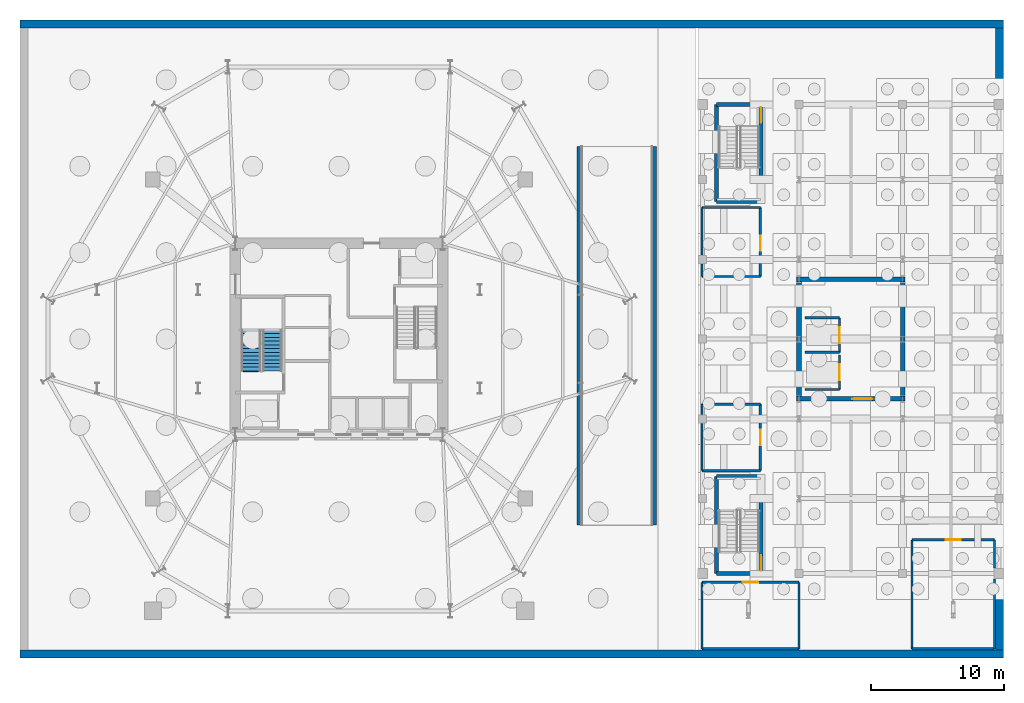
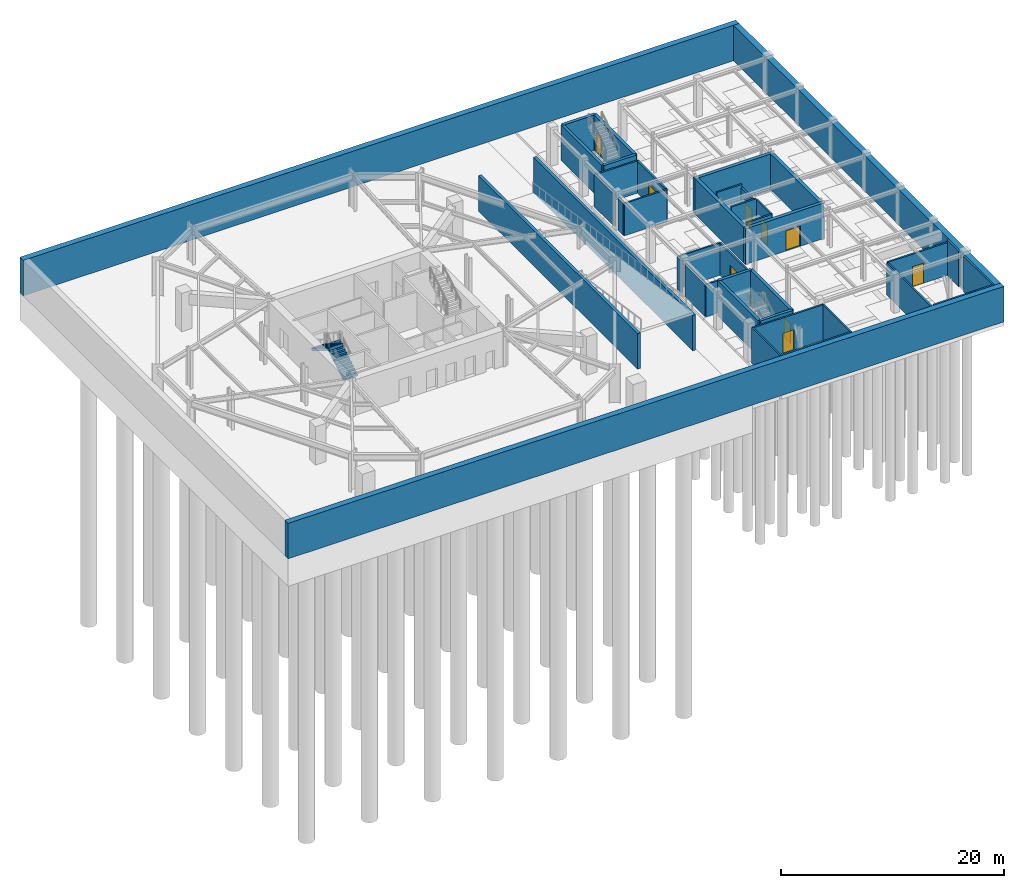
# One storey, part 14 of 18: 41 walls, 9 doors, 2 stair flights, 9 openings, 1 element without a shape of its own.
"""IFC4 building model written with IfcOpenShell, lengths in metres."""

from ifc_helpers import new_model, si_unit, direction, frame, frame_2d, origin, place, context, subcontext, project, spatial, polyline, rectangle, outline, extrude, material, layer, layer_set, type_object, element, fill, aggregate, save


model = new_model("IFC4")

# Units and contexts
model_context = context("Model", 3, precision=1e-05, world=origin(), true_north=direction((0.0, 1.0)))
body_context = subcontext(model_context, "Body", "Model", "MODEL_VIEW")
ifc_project = project(units=[si_unit("LENGTHUNIT", "METRE"), si_unit("AREAUNIT", "SQUARE_METRE"), si_unit("VOLUMEUNIT", "CUBIC_METRE"), si_unit("PLANEANGLEUNIT", "RADIAN"), si_unit("MASSUNIT", "GRAM", prefix="KILO")], contexts=[model_context])

# Site, building, storey
site_placement = place(None, origin())
site = spatial("IfcSite", under=ifc_project, at=site_placement, CompositionType="ELEMENT")
building_placement = place(site_placement, origin())
building = spatial("IfcBuilding", under=site, at=building_placement, Name="Kranzbogen Civic Tower", CompositionType="ELEMENT")
storey_placement = place(building_placement, frame((0.0, 0.0, -8.39990234375)))
storey = spatial("IfcBuildingStorey", under=building, at=storey_placement, Name="B02", CompositionType="ELEMENT", Elevation=-8.39990234375)

# Walls
ifc_material_1 = material(Name="Concrete C45/55", Category="concrete")
ifc_layer_1 = layer(ifc_material_1, 0.60009765625, Name="Concrete C45/55")
ifc_layer_set_1 = layer_set([ifc_layer_1], Name="Concrete C45/55")
wall_type_1 = type_object("IfcWallType", Name="Basement Retaining Wall 600 mm", PredefinedType="USERDEFINED", material=ifc_layer_set_1)
for number, where, z_axis, x_axis, name in (
    (1, (1.0, 1.300048828125, 0.0), (0.0, 0.0, 1.0), (1.0, 0.0, 0.0), "B02 South basement retaining wall"),
    (2, (75.0, 48.699951171875, 0.0), (0.0, 0.0, 1.0), (-1.0, 0.0, 0.0), "B02 North basement retaining wall"),
):
    element("IfcWall", number, at=place(storey_placement, frame(where, z_axis=z_axis, x_axis=x_axis)), inside=storey, type_object=wall_type_1, Name=name, ObjectType="RETAINING_WALL", PredefinedType="USERDEFINED", context=body_context, shape_type="SweptSolid", body=[
        extrude(rectangle(XDim=74.0, YDim=0.60009765625, at=frame_2d((37.0, 0.0))), origin(), (0.0, 0.0, 1.0), 3.8798828125),
    ])
wall_1_placement = place(storey_placement, frame((74.699951171875, 1.60009765625, 0.0), z_axis=(0.0, 0.0, 1.0), x_axis=(0.0, 1.0, 0.0)))
element("IfcWall", 3, at=wall_1_placement, inside=storey, type_object=wall_type_1, Name="B02 East basement retaining wall", ObjectType="RETAINING_WALL", PredefinedType="USERDEFINED", context=body_context, shape_type="SweptSolid", body=[
    extrude(rectangle(XDim=46.7998046875, YDim=0.60009765625, at=frame_2d((23.39990234375, 0.0))), origin(), (0.0, 0.0, 1.0), 3.8798828125),
])

# Wall, opening, door
ifc_material_2 = material(Name="Gypsum Fireboard Shaftliner")
ifc_layer_2 = layer(ifc_material_2, 0.175048828125, Name="Gypsum Fireboard Shaftliner")
ifc_layer_set_2 = layer_set([ifc_layer_2], Name="Gypsum Fireboard Shaftliner")
wall_type_2 = type_object("IfcWallType", Name="Fire-Rated Lift and Service Shaft Wall 175 mm", PredefinedType="PARTITIONING", material=ifc_layer_set_2)
wall_2_placement = place(storey_placement, frame((62.64990234375, 21.199951171875, 0.0), z_axis=(0.0, 0.0, 1.0), x_axis=(0.0, 1.0, 0.0)))
wall_2 = element("IfcWall", 4, at=wall_2_placement, inside=storey, type_object=wall_type_2, Name="B02 lift HC-L1 landing wall", PredefinedType="PARTITIONING", context=body_context, shape_type="SweptSolid", body=[
    extrude(rectangle(XDim=2.60009765625, YDim=0.175048828125, at=frame_2d((1.300048828125, 0.0))), origin(), (0.0, 0.0, 1.0), 3.8798828125),
])
opening_1_placement = place(wall_2_placement, frame((0.699951171875, 0.0, 0.0)))
opening_1 = element("IfcOpeningElement", 5, at=opening_1_placement, cuts=wall_2, Name="Opening LD-HC-L1", PredefinedType="OPENING", context=body_context, shape_type="SweptSolid", body=[
    extrude(rectangle(XDim=1.199951171875, YDim=2.199951171875, at=frame_2d((0.60009765625, 1.10009765625))), frame((0.0, 0.09765625, 0.0), z_axis=(0.0, -1.0, 0.0), x_axis=(1.0, 0.0, 0.0)), (0.0, 0.0, 1.0), 0.195068359375),
])
ifc_material_3 = material(Name="Pale Anodised Aluminium", Category="aluminium")
door_type_1 = type_object("IfcDoorType", Name="Firefighting and Stretcher Lift Sliding Landing Door 1200x2200", OperationType="DOUBLE_DOOR_SLIDING", PredefinedType="DOOR", material=ifc_material_3)
door_1_placement = place(opening_1_placement, origin())
door_1 = element("IfcDoor", 6, at=door_1_placement, inside=storey, type_object=door_type_1, Name="B02 lift HC-L1 sliding landing door", OperationType="DOUBLE_DOOR_SLIDING", OverallHeight=2.199951171875, OverallWidth=1.199951171875, PredefinedType="DOOR", context=body_context, shape_type="SweptSolid", body=[
    extrude(rectangle(XDim=1.199951171875, YDim=2.199951171875, at=frame_2d((0.60009765625, 1.10009765625))), frame((0.0, 0.02490234375, 0.0), z_axis=(0.0, -1.0, 0.0), x_axis=(1.0, 0.0, 0.0)), (0.0, 0.0, 1.0), 0.050048828125),
])
fill(opening_1, door_1)

# Wall
wall_3_placement = place(storey_placement, frame((60.050048828125, 21.199951171875, 0.0), z_axis=(0.0, 0.0, 1.0), x_axis=(1.0, 0.0, 0.0)))
element("IfcWall", 7, at=wall_3_placement, inside=storey, type_object=wall_type_2, Name="B02 lift HC-L1 side wall", PredefinedType="PARTITIONING", context=body_context, shape_type="SweptSolid", body=[
    extrude(rectangle(XDim=2.599853515625, YDim=0.175048828125, at=frame_2d((1.2998046875, 0.0))), origin(), (0.0, 0.0, 1.0), 3.8798828125),
])

# Wall, opening, door
wall_4_placement = place(storey_placement, frame((62.64990234375, 24.0, 0.0), z_axis=(0.0, 0.0, 1.0), x_axis=(0.0, 1.0, 0.0)))
wall_4 = element("IfcWall", 8, at=wall_4_placement, inside=storey, type_object=wall_type_2, Name="B02 lift HC-L2 landing wall", PredefinedType="PARTITIONING", context=body_context, shape_type="SweptSolid", body=[
    extrude(rectangle(XDim=2.60009765625, YDim=0.175048828125, at=frame_2d((1.300048828125, 0.0))), origin(), (0.0, 0.0, 1.0), 3.52001953125),
])
opening_2_placement = place(wall_4_placement, frame((0.699951171875, 0.0, 0.0)))
opening_2 = element("IfcOpeningElement", 9, at=opening_2_placement, cuts=wall_4, Name="Opening LD-HC-L2", PredefinedType="OPENING", context=body_context, shape_type="SweptSolid", body=[
    extrude(rectangle(XDim=1.199951171875, YDim=2.199951171875, at=frame_2d((0.60009765625, 1.10009765625))), frame((0.0, 0.09765625, 0.0), z_axis=(0.0, -1.0, 0.0), x_axis=(1.0, 0.0, 0.0)), (0.0, 0.0, 1.0), 0.195068359375),
])
door_2_placement = place(opening_2_placement, origin())
door_2 = element("IfcDoor", 10, at=door_2_placement, inside=storey, type_object=door_type_1, Name="B02 lift HC-L2 sliding landing door", OperationType="DOUBLE_DOOR_SLIDING", OverallHeight=2.199951171875, OverallWidth=1.199951171875, PredefinedType="DOOR", context=body_context, shape_type="SweptSolid", body=[
    extrude(rectangle(XDim=1.199951171875, YDim=2.199951171875, at=frame_2d((0.60009765625, 1.10009765625))), frame((0.0, 0.02490234375, 0.0), z_axis=(0.0, -1.0, 0.0), x_axis=(1.0, 0.0, 0.0)), (0.0, 0.0, 1.0), 0.050048828125),
])
fill(opening_2, door_2)

# Walls
for number, where, z_axis, x_axis, name in (
    (11, (60.050048828125, 24.0, 0.0), (0.0, 0.0, 1.0), (1.0, 0.0, 0.0), "B02 lift HC-L2 side wall"),
    (12, (60.050048828125, 26.60009765625, 0.0), (0.0, 0.0, 1.0), (1.0, 0.0, 0.0), "B02 lift HC-L2 North shaft wall"),
):
    element("IfcWall", number, at=place(storey_placement, frame(where, z_axis=z_axis, x_axis=x_axis)), inside=storey, type_object=wall_type_2, Name=name, PredefinedType="PARTITIONING", context=body_context, shape_type="SweptSolid", body=[
        extrude(rectangle(XDim=2.599853515625, YDim=0.175048828125, at=frame_2d((1.2998046875, 0.0))), origin(), (0.0, 0.0, 1.0), 3.8798828125),
    ])

# Wall, opening, door
wall_5_placement = place(storey_placement, frame((68.10009765625, 9.89990234375, 0.0), z_axis=(0.0, 0.0, 1.0), x_axis=(1.0, 0.0, 0.0)))
wall_5 = element("IfcWall", 13, at=wall_5_placement, inside=storey, type_object=wall_type_2, Name="B02 PWR North wall", PredefinedType="PARTITIONING", context=body_context, shape_type="SweptSolid", body=[
    extrude(rectangle(XDim=6.2099609375, YDim=0.175048828125, at=frame_2d((3.10498046875, 0.0))), origin(), (0.0, 0.0, 1.0), 3.579833984375),
])
opening_3_placement = place(wall_5_placement, frame((2.530029296875, 0.0, 0.0)))
opening_3 = element("IfcOpeningElement", 14, at=opening_3_placement, cuts=wall_5, Name="Opening D-ST90", PredefinedType="OPENING", context=body_context, shape_type="SweptSolid", body=[
    extrude(rectangle(XDim=1.14990234375, YDim=2.199951171875, at=frame_2d((0.574951171875, 1.10009765625))), frame((0.0, 0.09765625, 0.0), z_axis=(0.0, -1.0, 0.0), x_axis=(1.0, 0.0, 0.0)), (0.0, 0.0, 1.0), 0.195068359375),
])
ifc_material_4 = material(Name="Steel S355", Category="steel")
door_type_2 = type_object("IfcDoorType", Name="Pressurized Stair and Lobby Fire Door 1150x2200", OperationType="NOTDEFINED", PredefinedType="DOOR", material=ifc_material_4)
door_3_placement = place(opening_3_placement, origin())
door_3 = element("IfcDoor", 15, at=door_3_placement, inside=storey, type_object=door_type_2, Name="B02 PWR plant access door", OperationType="SINGLE_SWING_RIGHT", OverallHeight=2.199951171875, OverallWidth=1.14990234375, PredefinedType="DOOR", context=body_context, shape_type="SweptSolid", body=[
    extrude(rectangle(XDim=1.14990234375, YDim=2.199951171875, at=frame_2d((0.574951171875, 1.10009765625))), frame((0.0, 0.02490234375, 0.0), z_axis=(0.0, -1.0, 0.0), x_axis=(1.0, 0.0, 0.0)), (0.0, 0.0, 1.0), 0.050048828125),
])
fill(opening_3, door_3)

# Walls
wall_6_placement = place(storey_placement, frame((68.10009765625, 1.68994140625, 0.0), z_axis=(0.0, 0.0, 1.0), x_axis=(1.0, 0.0, 0.0)))
element("IfcWall", 16, at=wall_6_placement, inside=storey, type_object=wall_type_2, Name="B02 PWR South wall", PredefinedType="PARTITIONING", context=body_context, shape_type="SweptSolid", body=[
    extrude(rectangle(XDim=6.2099609375, YDim=0.175048828125, at=frame_2d((3.10498046875, 0.0))), origin(), (0.0, 0.0, 1.0), 3.8798828125),
])
wall_7_placement = place(storey_placement, frame((68.10009765625, 1.68994140625, 0.0), z_axis=(0.0, 0.0, 1.0), x_axis=(0.0, 1.0, 0.0)))
element("IfcWall", 17, at=wall_7_placement, inside=storey, type_object=wall_type_2, Name="B02 PWR West wall", PredefinedType="PARTITIONING", context=body_context, shape_type="SweptSolid", body=[
    extrude(rectangle(XDim=8.2099609375, YDim=0.175048828125, at=frame_2d((4.10498046875, 0.0))), origin(), (0.0, 0.0, 1.0), 3.52001953125),
])
wall_8_placement = place(storey_placement, frame((74.31005859375, 1.68994140625, 0.0), z_axis=(0.0, 0.0, 1.0), x_axis=(0.0, 1.0, 0.0)))
element("IfcWall", 18, at=wall_8_placement, inside=storey, type_object=wall_type_2, Name="B02 PWR East wall part 1", PredefinedType="PARTITIONING", context=body_context, shape_type="SweptSolid", body=[
    extrude(rectangle(XDim=5.2451171875, YDim=0.175048828125, at=frame_2d((2.62255859375, 0.0))), origin(), (0.0, 0.0, 1.0), 3.8798828125),
])
wall_9_placement = place(storey_placement, frame((74.31005859375, 7.764892578125, 0.0), z_axis=(0.0, 0.0, 1.0), x_axis=(0.0, 1.0, 0.0)))
element("IfcWall", 19, at=wall_9_placement, inside=storey, type_object=wall_type_2, Name="B02 PWR East wall part 2", PredefinedType="PARTITIONING", context=body_context, shape_type="SweptSolid", body=[
    extrude(rectangle(XDim=2.135009765625, YDim=0.175048828125, at=frame_2d((1.0673828125, 0.0))), origin(), (0.0, 0.0, 1.0), 3.8798828125),
])

# Wall, opening, door
wall_10_placement = place(storey_placement, frame((52.300048828125, 6.699951171875, 0.0), z_axis=(0.0, 0.0, 1.0), x_axis=(1.0, 0.0, 0.0)))
wall_10 = element("IfcWall", 20, at=wall_10_placement, inside=storey, type_object=wall_type_2, Name="B02 SPR North wall", PredefinedType="PARTITIONING", context=body_context, shape_type="SweptSolid", body=[
    extrude(rectangle(XDim=7.300048828125, YDim=0.175048828125, at=frame_2d((3.64990234375, 0.0))), origin(), (0.0, 0.0, 1.0), 3.8798828125),
])
opening_4_placement = place(wall_10_placement, frame((3.074951171875, 0.0, 0.0)))
opening_4 = element("IfcOpeningElement", 21, at=opening_4_placement, cuts=wall_10, Name="Opening D-ST90", PredefinedType="OPENING", context=body_context, shape_type="SweptSolid", body=[
    extrude(rectangle(XDim=1.14990234375, YDim=2.199951171875, at=frame_2d((0.574951171875, 1.10009765625))), frame((0.0, 0.09765625, 0.0), z_axis=(0.0, -1.0, 0.0), x_axis=(1.0, 0.0, 0.0)), (0.0, 0.0, 1.0), 0.195068359375),
])
door_4_placement = place(opening_4_placement, origin())
door_4 = element("IfcDoor", 22, at=door_4_placement, inside=storey, type_object=door_type_2, Name="B02 SPR plant access door", OperationType="SINGLE_SWING_LEFT", OverallHeight=2.199951171875, OverallWidth=1.14990234375, PredefinedType="DOOR", context=body_context, shape_type="SweptSolid", body=[
    extrude(rectangle(XDim=1.14990234375, YDim=2.199951171875, at=frame_2d((0.574951171875, 1.10009765625))), frame((0.0, 0.02490234375, 0.0), z_axis=(0.0, -1.0, 0.0), x_axis=(1.0, 0.0, 0.0)), (0.0, 0.0, 1.0), 0.050048828125),
])
fill(opening_4, door_4)

# Walls
wall_11_placement = place(storey_placement, frame((52.300048828125, 1.68994140625, 0.0), z_axis=(0.0, 0.0, 1.0), x_axis=(1.0, 0.0, 0.0)))
element("IfcWall", 23, at=wall_11_placement, inside=storey, type_object=wall_type_2, Name="B02 SPR South wall", PredefinedType="PARTITIONING", context=body_context, shape_type="SweptSolid", body=[
    extrude(rectangle(XDim=7.300048828125, YDim=0.175048828125, at=frame_2d((3.64990234375, 0.0))), origin(), (0.0, 0.0, 1.0), 3.8798828125),
])
for number, where, z_axis, x_axis, name in (
    (24, (52.300048828125, 1.68994140625, 0.0), (0.0, 0.0, 1.0), (0.0, 1.0, 0.0), "B02 SPR West wall"),
    (25, (59.60009765625, 1.68994140625, 0.0), (0.0, 0.0, 1.0), (0.0, 1.0, 0.0), "B02 SPR East wall"),
):
    element("IfcWall", number, at=place(storey_placement, frame(where, z_axis=z_axis, x_axis=x_axis)), inside=storey, type_object=wall_type_2, Name=name, PredefinedType="PARTITIONING", context=body_context, shape_type="SweptSolid", body=[
        extrude(rectangle(XDim=5.010009765625, YDim=0.175048828125, at=frame_2d((2.5048828125, 0.0))), origin(), (0.0, 0.0, 1.0), 3.8798828125),
    ])
for number, where, z_axis, x_axis, name in (
    (26, (52.300048828125, 20.10009765625, 0.0), (0.0, 0.0, 1.0), (1.0, 0.0, 0.0), "B02 DHS North wall"),
    (27, (52.300048828125, 15.10009765625, 0.0), (0.0, 0.0, 1.0), (1.0, 0.0, 0.0), "B02 DHS South wall"),
):
    element("IfcWall", number, at=place(storey_placement, frame(where, z_axis=z_axis, x_axis=x_axis)), inside=storey, type_object=wall_type_2, Name=name, PredefinedType="PARTITIONING", context=body_context, shape_type="SweptSolid", body=[
        extrude(rectangle(XDim=4.39990234375, YDim=0.175048828125, at=frame_2d((2.199951171875, 0.0))), origin(), (0.0, 0.0, 1.0), 3.52001953125),
    ])
wall_12_placement = place(storey_placement, frame((52.300048828125, 15.10009765625, 0.0), z_axis=(0.0, 0.0, 1.0), x_axis=(0.0, 1.0, 0.0)))
element("IfcWall", 28, at=wall_12_placement, inside=storey, type_object=wall_type_2, Name="B02 DHS West wall part 1", PredefinedType="PARTITIONING", context=body_context, shape_type="SweptSolid", body=[
    extrude(rectangle(XDim=3.559814453125, YDim=0.175048828125, at=frame_2d((1.77978515625, 0.0))), origin(), (0.0, 0.0, 1.0), 3.52001953125),
])
wall_13_placement = place(storey_placement, frame((52.300048828125, 19.340087890625, 0.0), z_axis=(0.0, 0.0, 1.0), x_axis=(0.0, 1.0, 0.0)))
element("IfcWall", 29, at=wall_13_placement, inside=storey, type_object=wall_type_2, Name="B02 DHS West wall part 2", PredefinedType="PARTITIONING", context=body_context, shape_type="SweptSolid", body=[
    extrude(rectangle(XDim=0.760009765625, YDim=0.175048828125, at=frame_2d((0.3798828125, 0.0))), origin(), (0.0, 0.0, 1.0), 3.52001953125),
])

# Wall, opening, door
wall_14_placement = place(storey_placement, frame((56.699951171875, 15.10009765625, 0.0), z_axis=(0.0, 0.0, 1.0), x_axis=(0.0, 1.0, 0.0)))
wall_14 = element("IfcWall", 30, at=wall_14_placement, inside=storey, type_object=wall_type_2, Name="B02 DHS East wall", PredefinedType="PARTITIONING", context=body_context, shape_type="SweptSolid", body=[
    extrude(rectangle(XDim=5.0, YDim=0.175048828125, at=frame_2d((2.5, 0.0))), origin(), (0.0, 0.0, 1.0), 3.52001953125),
])
opening_5_placement = place(wall_14_placement, frame((1.925048828125, 0.0, 0.0)))
opening_5 = element("IfcOpeningElement", 31, at=opening_5_placement, cuts=wall_14, Name="Opening D-ST90", PredefinedType="OPENING", context=body_context, shape_type="SweptSolid", body=[
    extrude(rectangle(XDim=1.14990234375, YDim=2.199951171875, at=frame_2d((0.574951171875, 1.10009765625))), frame((0.0, 0.09765625, 0.0), z_axis=(0.0, -1.0, 0.0), x_axis=(1.0, 0.0, 0.0)), (0.0, 0.0, 1.0), 0.195068359375),
])
door_5_placement = place(opening_5_placement, origin())
door_5 = element("IfcDoor", 32, at=door_5_placement, inside=storey, type_object=door_type_2, Name="B02 DHS plant access door", OperationType="SINGLE_SWING_RIGHT", OverallHeight=2.199951171875, OverallWidth=1.14990234375, PredefinedType="DOOR", context=body_context, shape_type="SweptSolid", body=[
    extrude(rectangle(XDim=1.14990234375, YDim=2.199951171875, at=frame_2d((0.574951171875, 1.10009765625))), frame((0.0, 0.02490234375, 0.0), z_axis=(0.0, -1.0, 0.0), x_axis=(1.0, 0.0, 0.0)), (0.0, 0.0, 1.0), 0.050048828125),
])
fill(opening_5, door_5)

# Walls
for number, where, z_axis, x_axis, name in (
    (33, (52.300048828125, 34.89990234375, 0.0), (0.0, 0.0, 1.0), (1.0, 0.0, 0.0), "B02 WTR North wall"),
    (34, (52.300048828125, 29.699951171875, 0.0), (0.0, 0.0, 1.0), (1.0, 0.0, 0.0), "B02 WTR South wall"),
):
    element("IfcWall", number, at=place(storey_placement, frame(where, z_axis=z_axis, x_axis=x_axis)), inside=storey, type_object=wall_type_2, Name=name, PredefinedType="PARTITIONING", context=body_context, shape_type="SweptSolid", body=[
        extrude(rectangle(XDim=4.39990234375, YDim=0.175048828125, at=frame_2d((2.199951171875, 0.0))), origin(), (0.0, 0.0, 1.0), 3.52001953125),
    ])
wall_15_placement = place(storey_placement, frame((52.300048828125, 29.699951171875, 0.0), z_axis=(0.0, 0.0, 1.0), x_axis=(0.0, 1.0, 0.0)))
element("IfcWall", 35, at=wall_15_placement, inside=storey, type_object=wall_type_2, Name="B02 WTR West wall part 1", PredefinedType="PARTITIONING", context=body_context, shape_type="SweptSolid", body=[
    extrude(rectangle(XDim=0.9599609375, YDim=0.175048828125, at=frame_2d((0.47998046875, 0.0))), origin(), (0.0, 0.0, 1.0), 3.52001953125),
])
wall_16_placement = place(storey_placement, frame((52.300048828125, 31.340087890625, 0.0), z_axis=(0.0, 0.0, 1.0), x_axis=(0.0, 1.0, 0.0)))
element("IfcWall", 36, at=wall_16_placement, inside=storey, type_object=wall_type_2, Name="B02 WTR West wall part 2", PredefinedType="PARTITIONING", context=body_context, shape_type="SweptSolid", body=[
    extrude(rectangle(XDim=3.559814453125, YDim=0.175048828125, at=frame_2d((1.77978515625, 0.0))), origin(), (0.0, 0.0, 1.0), 3.52001953125),
])

# Wall, opening, door
wall_17_placement = place(storey_placement, frame((56.699951171875, 29.699951171875, 0.0), z_axis=(0.0, 0.0, 1.0), x_axis=(0.0, 1.0, 0.0)))
wall_17 = element("IfcWall", 37, at=wall_17_placement, inside=storey, type_object=wall_type_2, Name="B02 WTR East wall", PredefinedType="PARTITIONING", context=body_context, shape_type="SweptSolid", body=[
    extrude(rectangle(XDim=5.199951171875, YDim=0.175048828125, at=frame_2d((2.60009765625, 0.0))), origin(), (0.0, 0.0, 1.0), 3.52001953125),
])
opening_6_placement = place(wall_17_placement, frame((1.93798828125, 0.0, 0.0)))
opening_6 = element("IfcOpeningElement", 38, at=opening_6_placement, cuts=wall_17, Name="Opening D-ST90", PredefinedType="OPENING", context=body_context, shape_type="SweptSolid", body=[
    extrude(rectangle(XDim=1.14990234375, YDim=2.199951171875, at=frame_2d((0.574951171875, 1.10009765625))), frame((0.0, 0.09765625, 0.0), z_axis=(0.0, -1.0, 0.0), x_axis=(1.0, 0.0, 0.0)), (0.0, 0.0, 1.0), 0.195068359375),
])
door_6_placement = place(opening_6_placement, origin())
door_6 = element("IfcDoor", 39, at=door_6_placement, inside=storey, type_object=door_type_2, Name="B02 WTR plant access door", OperationType="SINGLE_SWING_LEFT", OverallHeight=2.199951171875, OverallWidth=1.14990234375, PredefinedType="DOOR", context=body_context, shape_type="SweptSolid", body=[
    extrude(rectangle(XDim=1.14990234375, YDim=2.199951171875, at=frame_2d((0.574951171875, 1.10009765625))), frame((0.0, 0.02490234375, 0.0), z_axis=(0.0, -1.0, 0.0), x_axis=(1.0, 0.0, 0.0)), (0.0, 0.0, 1.0), 0.050048828125),
])
fill(opening_6, door_6)

ifc_material_5 = material(Name="Concrete C40/50", Category="concrete")
ifc_layer_3 = layer(ifc_material_5, 0.35009765625, Name="Concrete C40/50")
ifc_layer_set_3 = layer_set([ifc_layer_3], Name="Concrete C40/50")
wall_type_3 = type_object("IfcWallType", Name="Health Centre Core Shear Wall 350 mm", PredefinedType="SHEAR", material=ifc_layer_set_3)
wall_18_placement = place(storey_placement, frame((59.425048828125, 20.5, 0.0), z_axis=(0.0, 0.0, 1.0), x_axis=(1.0, 0.0, 0.0)))
wall_18 = element("IfcWall", 40, at=wall_18_placement, inside=storey, type_object=wall_type_3, Name="B02 Health Centre core South shear wall", PredefinedType="SHEAR", context=body_context, shape_type="SweptSolid", body=[
    extrude(rectangle(XDim=8.14990234375, YDim=0.35009765625, at=frame_2d((4.074951171875, 0.0))), origin(), (0.0, 0.0, 1.0), 3.8798828125),
])
opening_7_placement = place(wall_18_placement, frame((4.199951171875, 0.0, 0.0)))
opening_7 = element("IfcOpeningElement", 41, at=opening_7_placement, cuts=wall_18, Name="Opening D-DBL15", PredefinedType="OPENING", context=body_context, shape_type="SweptSolid", body=[
    extrude(rectangle(XDim=1.5, YDim=2.199951171875, at=frame_2d((0.75, 1.10009765625))), frame((0.0, 0.18505859375, 0.0), z_axis=(0.0, -1.0, 0.0), x_axis=(1.0, 0.0, 0.0)), (0.0, 0.0, 1.0), 0.3701171875),
])
ifc_material_6 = material(Name="Anodised Bronze and Glass", Category="glass")
door_type_3 = type_object("IfcDoorType", Name="Civic Lobby Double Door 1500x2200", OperationType="DOUBLE_DOOR_SINGLE_SWING", PredefinedType="DOOR", material=ifc_material_6)
door_7_placement = place(opening_7_placement, origin())
door_7 = element("IfcDoor", 42, at=door_7_placement, inside=storey, type_object=door_type_3, Name="B02 Health Centre Lift Lobby door", OperationType="DOUBLE_DOOR_SINGLE_SWING", OverallHeight=2.199951171875, OverallWidth=1.5, PredefinedType="DOOR", context=body_context, shape_type="SweptSolid", body=[
    extrude(rectangle(XDim=1.5, YDim=2.199951171875, at=frame_2d((0.75, 1.10009765625))), frame((0.0, 0.02490234375, 0.0), z_axis=(0.0, -1.0, 0.0), x_axis=(1.0, 0.0, 0.0)), (0.0, 0.0, 1.0), 0.050048828125),
])
fill(opening_7, door_7)

# Walls
wall_19_placement = place(storey_placement, frame((67.574951171875, 29.5, 0.0), z_axis=(0.0, 0.0, 1.0), x_axis=(-1.0, 0.0, 0.0)))
element("IfcWall", 43, at=wall_19_placement, inside=storey, type_object=wall_type_3, Name="B02 Health Centre core North shear wall", PredefinedType="SHEAR", context=body_context, shape_type="SweptSolid", body=[
    extrude(rectangle(XDim=8.14990234375, YDim=0.35009765625, at=frame_2d((4.074951171875, 0.0))), origin(), (0.0, 0.0, 1.0), 3.8798828125),
])
for number, where, z_axis, x_axis, name in (
    (44, (59.60009765625, 29.324951171875, 0.0), (0.0, 0.0, 1.0), (0.0, -1.0, 0.0), "B02 Health Centre core West shear wall"),
    (45, (67.39990234375, 20.675048828125, 0.0), (0.0, 0.0, 1.0), (0.0, 1.0, 0.0), "B02 Health Centre core East shear wall"),
):
    element("IfcWall", number, at=place(storey_placement, frame(where, z_axis=z_axis, x_axis=x_axis)), inside=storey, type_object=wall_type_3, Name=name, PredefinedType="SHEAR", context=body_context, shape_type="SweptSolid", body=[
        extrude(rectangle(XDim=8.64990234375, YDim=0.35009765625, at=frame_2d((4.324951171875, 0.0))), origin(), (0.0, 0.0, 1.0), 3.8798828125),
    ])
ifc_layer_4 = layer(ifc_material_5, 0.300048828125, Name="Concrete C40/50")
ifc_layer_set_4 = layer_set([ifc_layer_4], Name="Concrete C40/50")
wall_type_4 = type_object("IfcWallType", Name="Structural Ramp and Stair Shaft Wall 300 mm", PredefinedType="SOLIDWALL", material=ifc_layer_set_4)
for number, where, z_axis, x_axis, name in (
    (46, (43.050048828125, 11.0, 0.0), (0.0, 0.0, 1.0), (0.0, 1.0, 0.0), "B02 vehicle ramp West shaft wall"),
    (47, (48.75, 11.0, 0.0), (0.0, 0.0, 1.0), (0.0, 1.0, 0.0), "B02 vehicle ramp East shaft wall"),
):
    element("IfcWall", number, at=place(storey_placement, frame(where, z_axis=z_axis, x_axis=x_axis)), inside=storey, type_object=wall_type_4, Name=name, PredefinedType="SOLIDWALL", context=body_context, shape_type="SweptSolid", body=[
        extrude(rectangle(XDim=28.5, YDim=0.300048828125, at=frame_2d((14.25, 0.0))), origin(), (0.0, 0.0, 1.0), 3.8798828125),
    ])

# Wall, opening, door
wall_20_placement = place(storey_placement, frame((56.75, 7.35009765625, 0.0), z_axis=(0.0, 0.0, 1.0), x_axis=(0.0, 1.0, 0.0)))
wall_20 = element("IfcWall", 48, at=wall_20_placement, inside=storey, type_object=wall_type_4, Name="B02 STH1 E structural stair wall", PredefinedType="SOLIDWALL", context=body_context, shape_type="SweptSolid", body=[
    extrude(rectangle(XDim=7.2998046875, YDim=0.300048828125, at=frame_2d((3.64990234375, 0.0))), origin(), (0.0, 0.0, 1.0), 3.8798828125),
])
opening_8_placement = place(wall_20_placement, frame((0.219970703125, 0.0, 0.0)))
opening_8 = element("IfcOpeningElement", 49, at=opening_8_placement, cuts=wall_20, Name="Opening D-ST90", PredefinedType="OPENING", context=body_context, shape_type="SweptSolid", body=[
    extrude(rectangle(XDim=1.14990234375, YDim=2.199951171875, at=frame_2d((0.574951171875, 1.10009765625))), frame((0.0, 0.16015625, 0.0), z_axis=(0.0, -1.0, 0.0), x_axis=(1.0, 0.0, 0.0)), (0.0, 0.0, 1.0), 0.320068359375),
])
door_8_placement = place(opening_8_placement, origin())
door_8 = element("IfcDoor", 50, at=door_8_placement, inside=storey, type_object=door_type_2, Name="B02 Health Centre Stair 1 fire door", OperationType="SINGLE_SWING_RIGHT", OverallHeight=2.199951171875, OverallWidth=1.14990234375, PredefinedType="DOOR", context=body_context, shape_type="SweptSolid", body=[
    extrude(rectangle(XDim=1.14990234375, YDim=2.199951171875, at=frame_2d((0.574951171875, 1.10009765625))), frame((0.0, 0.02490234375, 0.0), z_axis=(0.0, -1.0, 0.0), x_axis=(1.0, 0.0, 0.0)), (0.0, 0.0, 1.0), 0.050048828125),
])
fill(opening_8, door_8)

# Walls
wall_21_placement = place(storey_placement, frame((53.39990234375, 7.35009765625, 0.0), z_axis=(0.0, 0.0, 1.0), x_axis=(0.0, 1.0, 0.0)))
element("IfcWall", 51, at=wall_21_placement, inside=storey, type_object=wall_type_4, Name="B02 STH1 W structural stair wall", PredefinedType="SOLIDWALL", context=body_context, shape_type="SweptSolid", body=[
    extrude(rectangle(XDim=7.2998046875, YDim=0.300048828125, at=frame_2d((3.64990234375, 0.0))), origin(), (0.0, 0.0, 1.0), 3.8798828125),
])
for number, where, z_axis, x_axis, name in (
    (52, (53.39990234375, 14.64990234375, 0.0), (0.0, 0.0, 1.0), (1.0, 0.0, 0.0), "B02 STH1 N structural stair wall"),
    (53, (53.39990234375, 7.35009765625, 0.0), (0.0, 0.0, 1.0), (1.0, 0.0, 0.0), "B02 STH1 S structural stair wall"),
):
    element("IfcWall", number, at=place(storey_placement, frame(where, z_axis=z_axis, x_axis=x_axis)), inside=storey, type_object=wall_type_4, Name=name, PredefinedType="SOLIDWALL", context=body_context, shape_type="SweptSolid", body=[
        extrude(rectangle(XDim=3.35009765625, YDim=0.300048828125, at=frame_2d((1.675048828125, 0.0))), origin(), (0.0, 0.0, 1.0), 3.8798828125),
    ])

# Wall, opening, door
wall_22_placement = place(storey_placement, frame((56.75, 35.35009765625, 0.0), z_axis=(0.0, 0.0, 1.0), x_axis=(0.0, 1.0, 0.0)))
wall_22 = element("IfcWall", 54, at=wall_22_placement, inside=storey, type_object=wall_type_4, Name="B02 STH2 E structural stair wall", PredefinedType="SOLIDWALL", context=body_context, shape_type="SweptSolid", body=[
    extrude(rectangle(XDim=7.2998046875, YDim=0.300048828125, at=frame_2d((3.64990234375, 0.0))), origin(), (0.0, 0.0, 1.0), 3.8798828125),
])
opening_9_placement = place(wall_22_placement, frame((5.919921875, 0.0, 0.0)))
opening_9 = element("IfcOpeningElement", 55, at=opening_9_placement, cuts=wall_22, Name="Opening D-ST90", PredefinedType="OPENING", context=body_context, shape_type="SweptSolid", body=[
    extrude(rectangle(XDim=1.14990234375, YDim=2.199951171875, at=frame_2d((0.574951171875, 1.10009765625))), frame((0.0, 0.16015625, 0.0), z_axis=(0.0, -1.0, 0.0), x_axis=(1.0, 0.0, 0.0)), (0.0, 0.0, 1.0), 0.320068359375),
])
door_9_placement = place(opening_9_placement, origin())
door_9 = element("IfcDoor", 56, at=door_9_placement, inside=storey, type_object=door_type_2, Name="B02 Health Centre Stair 2 fire door", OperationType="SINGLE_SWING_LEFT", OverallHeight=2.199951171875, OverallWidth=1.14990234375, PredefinedType="DOOR", context=body_context, shape_type="SweptSolid", body=[
    extrude(rectangle(XDim=1.14990234375, YDim=2.199951171875, at=frame_2d((0.574951171875, 1.10009765625))), frame((0.0, 0.02490234375, 0.0), z_axis=(0.0, -1.0, 0.0), x_axis=(1.0, 0.0, 0.0)), (0.0, 0.0, 1.0), 0.050048828125),
])
fill(opening_9, door_9)

# Walls
wall_23_placement = place(storey_placement, frame((53.39990234375, 35.35009765625, 0.0), z_axis=(0.0, 0.0, 1.0), x_axis=(0.0, 1.0, 0.0)))
element("IfcWall", 57, at=wall_23_placement, inside=storey, type_object=wall_type_4, Name="B02 STH2 W structural stair wall", PredefinedType="SOLIDWALL", context=body_context, shape_type="SweptSolid", body=[
    extrude(rectangle(XDim=7.2998046875, YDim=0.300048828125, at=frame_2d((3.64990234375, 0.0))), origin(), (0.0, 0.0, 1.0), 3.8798828125),
])
for number, where, z_axis, x_axis, name in (
    (58, (53.39990234375, 35.35009765625, 0.0), (0.0, 0.0, 1.0), (1.0, 0.0, 0.0), "B02 STH2 S structural stair wall"),
    (59, (53.39990234375, 42.64990234375, 0.0), (0.0, 0.0, 1.0), (1.0, 0.0, 0.0), "B02 STH2 N structural stair wall"),
):
    element("IfcWall", number, at=place(storey_placement, frame(where, z_axis=z_axis, x_axis=x_axis)), inside=storey, type_object=wall_type_4, Name=name, PredefinedType="SOLIDWALL", context=body_context, shape_type="SweptSolid", body=[
        extrude(rectangle(XDim=3.35009765625, YDim=0.300048828125, at=frame_2d((1.675048828125, 0.0))), origin(), (0.0, 0.0, 1.0), 3.8798828125),
    ])

# Stair, stair flights
ifc_material_7 = material(Name="Precast concrete C40/50", Category="concrete")
stair_type = type_object("IfcStairType", Name="Tower Core Pressurized Dogleg Stair 1450", PredefinedType="HALF_TURN_STAIR", material=ifc_material_7)
stair_placement = place(storey_placement, origin())
stair = element("IfcStair", 60, at=stair_placement, inside=storey, type_object=stair_type, Name="B02 Tower Core Pressurized Stair 1", PredefinedType="HALF_TURN_STAIR")
stair_flight_type = type_object("IfcStairFlightType", Name="Precast Concrete Stair Flight R175", PredefinedType="STRAIGHT", material=ifc_material_7)
stair_flight_1_placement = place(storey_placement, frame((19.97509765625, 22.60009765625, 0.0), z_axis=(0.0, 0.0, 1.0), x_axis=(0.0, 1.0, 0.0)))
stair_flight_1 = element("IfcStairFlight", 61, at=stair_flight_1_placement, type_object=stair_flight_type, Name="ST-T1 flight 1", NumberOfRisers=12, NumberOfTreads=11, PredefinedType="STRAIGHT", RiserHeight=0.175, TreadLength=0.28, context=body_context, shape_type="SweptSolid", body=[
    extrude(outline(polyline([(0.0, 0.0), (0.0, 0.175048828125), (0.280029296875, 0.175048828125), (0.280029296875, 0.35009765625), (0.56005859375, 0.35009765625), (0.56005859375, 0.52490234375), (0.840087890625, 0.52490234375), (0.840087890625, 0.699951171875), (1.1201171875, 0.699951171875), (1.1201171875, 0.875), (1.39990234375, 0.875), (1.39990234375, 1.050048828125), (1.679931640625, 1.050048828125), (1.679931640625, 1.22509765625), (1.9599609375, 1.22509765625), (1.9599609375, 1.39990234375), (2.239990234375, 1.39990234375), (2.239990234375, 1.574951171875), (2.52001953125, 1.574951171875), (2.52001953125, 1.75), (2.800048828125, 1.75), (2.800048828125, 1.925048828125), (3.080078125, 1.925048828125), (3.080078125, 2.10009765625), (3.16015625, 2.10009765625), (3.16015625, 1.748291015625), (0.28271484375, 0.0), (0.0, 0.0)])), frame((0.0, 0.72509765625, 0.0), z_axis=(0.0, -1.0, 0.0), x_axis=(1.0, 0.0, 0.0)), (0.0, 0.0, 1.0), 1.449951171875),
])
stair_flight_2_placement = place(storey_placement, frame((18.375, 25.679931640625, 2.099853515625), z_axis=(0.0, 0.0, 1.0), x_axis=(0.0, -1.0, 0.0)))
stair_flight_2 = element("IfcStairFlight", 62, at=stair_flight_2_placement, type_object=stair_flight_type, Name="ST-T1 flight 2", NumberOfRisers=12, NumberOfTreads=11, PredefinedType="STRAIGHT", RiserHeight=0.175, TreadLength=0.28, context=body_context, shape_type="SweptSolid", body=[
    extrude(outline(polyline([(0.0, 0.0), (0.0, 0.175048828125), (0.280029296875, 0.175048828125), (0.280029296875, 0.35009765625), (0.56005859375, 0.35009765625), (0.56005859375, 0.52490234375), (0.840087890625, 0.52490234375), (0.840087890625, 0.699951171875), (1.1201171875, 0.699951171875), (1.1201171875, 0.875), (1.39990234375, 0.875), (1.39990234375, 1.050048828125), (1.679931640625, 1.050048828125), (1.679931640625, 1.22509765625), (1.9599609375, 1.22509765625), (1.9599609375, 1.39990234375), (2.239990234375, 1.39990234375), (2.239990234375, 1.574951171875), (2.52001953125, 1.574951171875), (2.52001953125, 1.75), (2.800048828125, 1.75), (2.800048828125, 1.925048828125), (3.080078125, 1.925048828125), (3.080078125, 2.10009765625), (3.16015625, 2.10009765625), (3.16015625, 1.748291015625), (0.28271484375, 0.0), (0.0, 0.0)])), frame((0.0, 0.72509765625, 0.0), z_axis=(0.0, -1.0, 0.0), x_axis=(1.0, 0.0, 0.0)), (0.0, 0.0, 1.0), 1.449951171875),
])
aggregate(stair, [stair_flight_1, stair_flight_2])

save(model, "model.ifc")
